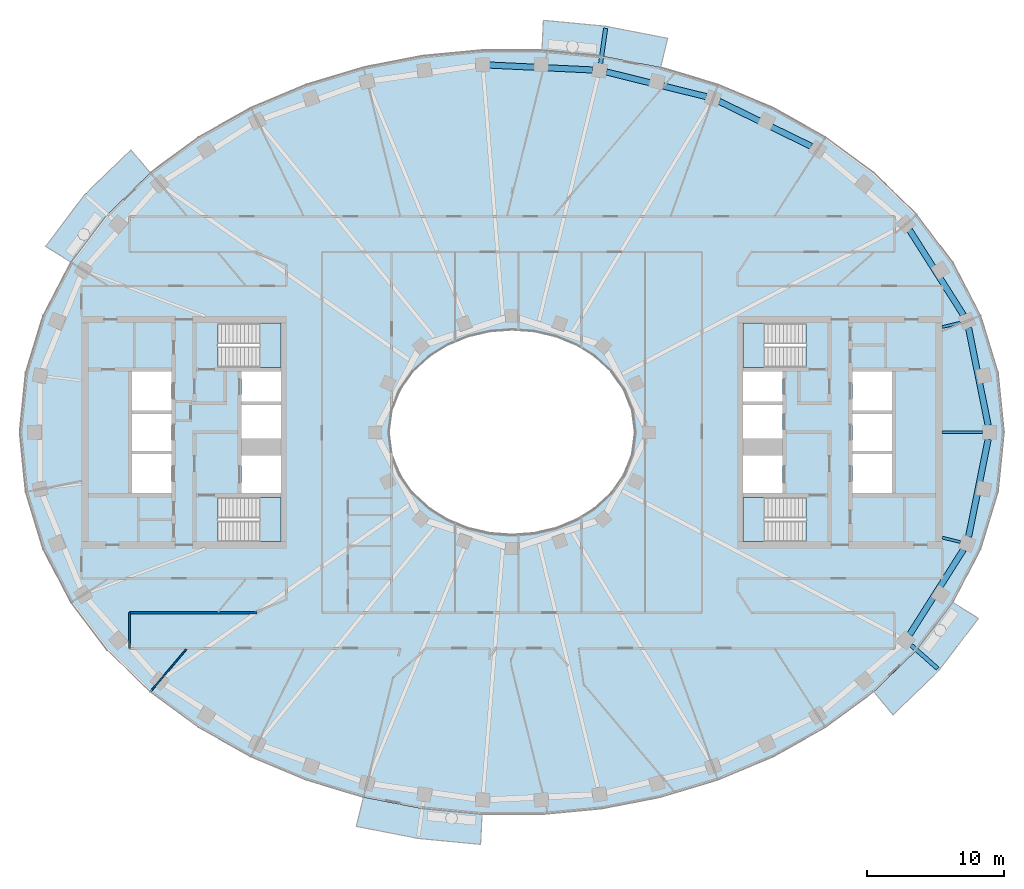
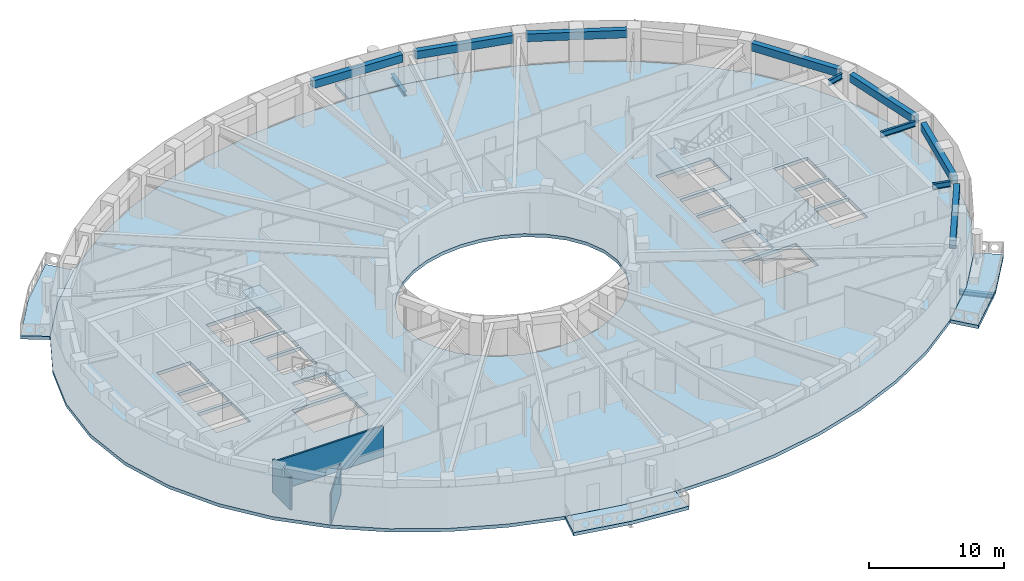
# One storey, part 2 of 16: 12 beams, 9 slabs, 3 walls, 4 elements without a shape of their own.
"""IFC4 building model written with IfcOpenShell, lengths in metres."""

from ifc_helpers import new_model, si_unit, direction, frame, frame_2d, origin, origin_2d, place, context, subcontext, project, spatial, polyline, rectangle, i_section, outline, extrude, material, layer, layer_set, material_profile, profile_set, type_object, element, aggregate, save


model = new_model("IFC4")

# Units and contexts
model_context = context("Model", 3, precision=1e-05, world=origin(), true_north=direction((0.0, 1.0)))
body_context = subcontext(model_context, "Body", "Model", "MODEL_VIEW")
ifc_project = project(units=[si_unit("LENGTHUNIT", "METRE"), si_unit("AREAUNIT", "SQUARE_METRE"), si_unit("VOLUMEUNIT", "CUBIC_METRE"), si_unit("PLANEANGLEUNIT", "RADIAN"), si_unit("MASSUNIT", "GRAM", prefix="KILO")], contexts=[model_context])

# Site, building, storey
site_placement = place(None, origin())
site = spatial("IfcSite", under=ifc_project, at=site_placement, CompositionType="ELEMENT")
building_placement = place(site_placement, origin())
building = spatial("IfcBuilding", under=site, at=building_placement, Name="Noorbagh Ring Tower", CompositionType="ELEMENT")
storey_placement = place(building_placement, frame((0.0, 0.0, 273.5)))
storey = spatial("IfcBuildingStorey", under=building, at=storey_placement, Name="L58", CompositionType="ELEMENT", Elevation=273.5)

# Beams
ifc_material_1 = material(Name="Steel S355", Category="steel")
ifc_material_profile_1 = material_profile(ifc_material_1, i_section(OverallWidth=0.300048828125, OverallDepth=0.39990234375, WebThickness=0.013427734375, FlangeThickness=0.02392578125, FilletRadius=0.027099609375, at=origin_2d()), Name="HEB400")
ifc_profile_set_1 = profile_set([ifc_material_profile_1], Name="Steel S355")
beam_type_1 = type_object("IfcBeamType", Name="STR-BALCONY-BRACKET-HEB400", PredefinedType="BEAM", material=ifc_profile_set_1)
beam_1_placement = place(storey_placement, frame((6.4814453125, 26.99072265625, -0.5), z_axis=(0.143078349205, 0.989711364989, 0.0), x_axis=(-0.989711364989, 0.143078349205, 0.0)))
element("IfcBeam", 1, at=beam_1_placement, inside=storey, type_object=beam_type_1, Name="Balcony bracket beam BN03", PredefinedType="BEAM", context=body_context, shape_type="SweptSolid", body=[
    extrude(i_section(OverallWidth=0.300048828125, OverallDepth=0.39990234375, WebThickness=0.013427734375, FlangeThickness=0.02392578125, FilletRadius=0.027099609375, at=origin_2d()), origin(), (0.0, 0.0, 1.0), 2.598876953125),
])
beam_2_placement = place(storey_placement, frame((29.197021484375, -15.565185546875, -0.5), z_axis=(0.749087807423, -0.662470721444, 0.0), x_axis=(0.662470721444, 0.749087807423, 0.0)))
element("IfcBeam", 2, at=beam_2_placement, inside=storey, type_object=beam_type_1, Name="Balcony bracket beam BS06", PredefinedType="BEAM", context=body_context, shape_type="SweptSolid", body=[
    extrude(i_section(OverallWidth=0.300048828125, OverallDepth=0.39990234375, WebThickness=0.013427734375, FlangeThickness=0.02392578125, FilletRadius=0.027099609375, at=origin_2d()), origin(), (0.0, 0.0, 1.0), 2.6044921875),
])
ifc_material_2 = material(Name="Steel S355", Category="steel")
ifc_material_profile_2 = material_profile(ifc_material_2, i_section(OverallWidth=0.199951171875, OverallDepth=0.5, WebThickness=0.01025390625, FlangeThickness=0.01611328125, FilletRadius=0.02099609375, at=origin_2d()), Name="IPE500")
ifc_profile_set_2 = profile_set([ifc_material_profile_2], Name="Steel S355")
beam_type_2 = type_object("IfcBeamType", Name="STR-RAD-IPE500", PredefinedType="BEAM", material=ifc_profile_set_2)
beam_3_placement = place(storey_placement, frame((34.439697265625, 0.0, 3.449951171875), z_axis=(-1.0, 0.0, 0.0), x_axis=(0.0, -1.0, 0.0)))
element("IfcBeam", 3, at=beam_3_placement, inside=storey, type_object=beam_type_2, Name="L58/bm/RD01", PredefinedType="BEAM", context=body_context, shape_type="SweptSolid", body=[
    extrude(i_section(OverallWidth=0.199951171875, OverallDepth=0.5, WebThickness=0.01025390625, FlangeThickness=0.01611328125, FilletRadius=0.02099609375, at=origin_2d()), origin(), (0.0, 0.0, 1.0), 2.959716796875),
])
for number, where, z_axis, x_axis, name in (
    (4, (32.80908203125, 8.02783203125, 3.449951171875), (-0.971368805904, -0.237576604311, 0.0), (0.237576604311, -0.971368805904, 0.0), "L58/bm/RD03"),
    (5, (32.80908203125, -8.02783203125, 3.449951171875), (-0.971368805904, 0.237576604311, 0.0), (-0.237576604311, -0.971368805904, 0.0), "L58/bm/RD45"),
):
    element("IfcBeam", number, at=place(storey_placement, frame(where, z_axis=z_axis, x_axis=x_axis)), inside=storey, type_object=beam_type_2, Name=name, PredefinedType="BEAM", context=body_context, shape_type="SweptSolid", body=[
        extrude(i_section(OverallWidth=0.199951171875, OverallDepth=0.5, WebThickness=0.01025390625, FlangeThickness=0.01611328125, FilletRadius=0.02099609375, at=origin_2d()), origin(), (0.0, 0.0, 1.0), 1.36767578125),
    ])
ifc_material_3 = material(Name="Concrete C40/50", Category="concrete")
ifc_material_profile_3 = material_profile(ifc_material_3, rectangle(XDim=0.449951171875, YDim=0.699951171875, at=origin_2d()), Name="RC450x700")
ifc_profile_set_3 = profile_set([ifc_material_profile_3], Name="Concrete C40/50")
beam_type_3 = type_object("IfcBeamType", Name="STR-SB-RC450x700-C40-50", PredefinedType="BEAM", material=ifc_profile_set_3)
beam_4_placement = place(storey_placement, frame((34.843017578125, 0.50537109375, 3.35009765625), z_axis=(-0.197224898537, 0.980358270938, 0.0), x_axis=(-0.980358270938, -0.197224898537, 0.0)))
element("IfcBeam", 6, at=beam_4_placement, inside=storey, type_object=beam_type_3, Name="L58/bm/SP01", PredefinedType="BEAM", context=body_context, shape_type="SweptSolid", body=[
    extrude(rectangle(XDim=0.449951171875, YDim=0.699951171875, at=origin_2d()), origin(), (0.0, 0.0, 1.0), 7.282470703125),
])
beam_5_placement = place(storey_placement, frame((33.030517578125, 8.5830078125, 3.35009765625), z_axis=(-0.535199696751, 0.844725567624, 0.0), x_axis=(-0.844725567624, -0.535199696751, 0.0)))
element("IfcBeam", 7, at=beam_5_placement, inside=storey, type_object=beam_type_3, Name="L58/bm/SP03", PredefinedType="BEAM", context=body_context, shape_type="SweptSolid", body=[
    extrude(rectangle(XDim=0.449951171875, YDim=0.699951171875, at=origin_2d()), origin(), (0.0, 0.0, 1.0), 7.357421875),
])
beam_6_placement = place(storey_placement, frame((21.905029296875, 20.92333984375, 3.35009765625), z_axis=(-0.898394634575, 0.439189117087, 0.0), x_axis=(-0.439189117087, -0.898394634575, 0.0)))
element("IfcBeam", 8, at=beam_6_placement, inside=storey, type_object=beam_type_3, Name="L58/bm/SP07", PredefinedType="BEAM", context=body_context, shape_type="SweptSolid", body=[
    extrude(rectangle(XDim=0.449951171875, YDim=0.699951171875, at=origin_2d()), origin(), (0.0, 0.0, 1.0), 7.501220703125),
])
beam_7_placement = place(storey_placement, frame((14.216552734375, 24.562744140625, 3.35009765625), z_axis=(-0.970832363292, 0.239759300935, 0.0), x_axis=(-0.239759300935, -0.970832363292, 0.0)))
element("IfcBeam", 9, at=beam_7_placement, inside=storey, type_object=beam_type_3, Name="L58/bm/SP09", PredefinedType="BEAM", context=body_context, shape_type="SweptSolid", body=[
    extrude(rectangle(XDim=0.449951171875, YDim=0.699951171875, at=origin_2d()), origin(), (0.0, 0.0, 1.0), 7.5341796875),
])
beam_8_placement = place(storey_placement, frame((5.90234375, 26.514892578125, 3.35009765625), z_axis=(-0.998868796295, 0.047551317418, 0.0), x_axis=(-0.047551317418, -0.998868796295, 0.0)))
element("IfcBeam", 10, at=beam_8_placement, inside=storey, type_object=beam_type_3, Name="L58/bm/SP11", PredefinedType="BEAM", context=body_context, shape_type="SweptSolid", body=[
    extrude(rectangle(XDim=0.449951171875, YDim=0.699951171875, at=origin_2d()), origin(), (0.0, 0.0, 1.0), 7.54736328125),
])
beam_9_placement = place(storey_placement, frame((29.0927734375, -14.798095703125, 3.35009765625), z_axis=(0.535199696751, 0.844725567624, 0.0), x_axis=(-0.844725567624, 0.535199696751, 0.0)))
element("IfcBeam", 11, at=beam_9_placement, inside=storey, type_object=beam_type_3, Name="L58/bm/SP43", PredefinedType="BEAM", context=body_context, shape_type="SweptSolid", body=[
    extrude(rectangle(XDim=0.449951171875, YDim=0.699951171875, at=origin_2d()), origin(), (0.0, 0.0, 1.0), 7.357421875),
])
beam_10_placement = place(storey_placement, frame((33.40673828125, -7.644775390625, 3.35009765625), z_axis=(0.197224898537, 0.980358270938, 0.0), x_axis=(-0.980358270938, 0.197224898537, 0.0)))
element("IfcBeam", 12, at=beam_10_placement, inside=storey, type_object=beam_type_3, Name="L58/bm/SP45", PredefinedType="BEAM", context=body_context, shape_type="SweptSolid", body=[
    extrude(rectangle(XDim=0.449951171875, YDim=0.699951171875, at=origin_2d()), origin(), (0.0, 0.0, 1.0), 7.282470703125),
])

# Stair, slab
ifc_material_4 = material(Name="Concrete C40/50", Category="concrete")
stair_type = type_object("IfcStairType", Name="CORE-STAIR", PredefinedType="HALF_TURN_STAIR", material=ifc_material_4)
stair_1_placement = place(storey_placement, origin())
stair_1 = element("IfcStair", 13, at=stair_1_placement, inside=storey, type_object=stair_type, Name="L58 Exit stair ST1", PredefinedType="HALF_TURN_STAIR")
ifc_material_5 = material(Name="Concrete C40/50", Category="concrete")
ifc_layer_1 = layer(ifc_material_5, 0.300048828125)
ifc_layer_set_1 = layer_set([ifc_layer_1], Name="Concrete C40/50")
slab_type_1 = type_object("IfcSlabType", Name="CORE-STAIR-LANDING", PredefinedType="LANDING", material=ifc_layer_set_1)
slab_1_placement = place(storey_placement, frame((0.0, 0.0, 1.699951171875)))
slab_1 = element("IfcSlab", 14, at=slab_1_placement, type_object=slab_type_1, Name="ST1 landing 1", PredefinedType="LANDING", context=body_context, shape_type="SweptSolid", body=[
    extrude(outline(polyline([(-18.449951171875, 4.75), (-16.89990234375, 4.75), (-16.89990234375, 8.0), (-18.449951171875, 8.0), (-18.449951171875, 4.75)])), origin(), (0.0, 0.0, 1.0), 0.300048828125),
])
aggregate(stair_1, [slab_1])

stair_2_placement = place(storey_placement, origin())
stair_2 = element("IfcStair", 15, at=stair_2_placement, inside=storey, type_object=stair_type, Name="L58 Exit stair ST2", PredefinedType="HALF_TURN_STAIR")
slab_2_placement = place(storey_placement, frame((0.0, 0.0, 1.699951171875)))
slab_2 = element("IfcSlab", 16, at=slab_2_placement, type_object=slab_type_1, Name="ST2 landing 1", PredefinedType="LANDING", context=body_context, shape_type="SweptSolid", body=[
    extrude(outline(polyline([(-18.449951171875, -8.0), (-16.89990234375, -8.0), (-16.89990234375, -4.75), (-18.449951171875, -4.75), (-18.449951171875, -8.0)])), origin(), (0.0, 0.0, 1.0), 0.300048828125),
])
aggregate(stair_2, [slab_2])

stair_3_placement = place(storey_placement, origin())
stair_3 = element("IfcStair", 17, at=stair_3_placement, inside=storey, type_object=stair_type, Name="L58 Exit stair ST3", PredefinedType="HALF_TURN_STAIR")
slab_3_placement = place(storey_placement, frame((0.0, 0.0, 1.699951171875)))
slab_3 = element("IfcSlab", 18, at=slab_3_placement, type_object=slab_type_1, Name="ST3 landing 1", PredefinedType="LANDING", context=body_context, shape_type="SweptSolid", body=[
    extrude(outline(polyline([(18.449951171875, 8.0), (16.89990234375, 8.0), (16.89990234375, 4.75), (18.449951171875, 4.75), (18.449951171875, 8.0)])), origin(), (0.0, 0.0, 1.0), 0.300048828125),
])
aggregate(stair_3, [slab_3])

stair_4_placement = place(storey_placement, origin())
stair_4 = element("IfcStair", 19, at=stair_4_placement, inside=storey, type_object=stair_type, Name="L58 Exit stair ST4", PredefinedType="HALF_TURN_STAIR")
slab_4_placement = place(storey_placement, frame((0.0, 0.0, 1.699951171875)))
slab_4 = element("IfcSlab", 20, at=slab_4_placement, type_object=slab_type_1, Name="ST4 landing 1", PredefinedType="LANDING", context=body_context, shape_type="SweptSolid", body=[
    extrude(outline(polyline([(18.449951171875, -4.75), (16.89990234375, -4.75), (16.89990234375, -8.0), (18.449951171875, -8.0), (18.449951171875, -4.75)])), origin(), (0.0, 0.0, 1.0), 0.300048828125),
])
aggregate(stair_4, [slab_4])

# Slabs
ifc_material_6 = material(Name="Concrete C40/50", Category="concrete")
ifc_layer_2 = layer(ifc_material_6, 0.300048828125)
ifc_layer_set_2 = layer_set([ifc_layer_2], Name="Concrete C40/50")
slab_type_2 = type_object("IfcSlabType", Name="ENV-BALCONY DECK 300", PredefinedType="FLOOR", material=ifc_layer_set_2)
slab_5_placement = place(storey_placement, frame((0.0, 0.0, -0.300048828125)))
element("IfcSlab", 21, at=slab_5_placement, inside=storey, type_object=slab_type_2, Name="Tree balcony deck BN03", PredefinedType="FLOOR", context=body_context, shape_type="SweptSolid", body=[
    extrude(outline(polyline([(11.3935546875, 28.832763671875), (6.874755859375, 29.711181640625), (2.2978515625, 30.14794921875), (2.193115234375, 27.947998046875), (6.5595703125, 27.53125), (10.865234375, 26.6943359375), (11.3935546875, 28.832763671875)])), origin(), (0.0, 0.0, 1.0), 0.300048828125),
])
slab_6_placement = place(storey_placement, frame((0.0, 0.0, -0.300048828125)))
element("IfcSlab", 22, at=slab_6_placement, inside=storey, type_object=slab_type_2, Name="Tree balcony deck BN06", PredefinedType="FLOOR", context=body_context, shape_type="SweptSolid", body=[
    extrude(outline(polyline([(-27.888671875, 20.665771484375), (-31.26025390625, 17.389892578125), (-34.120361328125, 13.615966796875), (-32.255126953125, 12.434814453125), (-29.607666015625, 15.92822265625), (-26.463134765625, 18.983154296875), (-27.888671875, 20.665771484375)])), origin(), (0.0, 0.0, 1.0), 0.300048828125),
])
slab_7_placement = place(storey_placement, frame((0.0, 0.0, -0.300048828125)))
element("IfcSlab", 23, at=slab_7_placement, inside=storey, type_object=slab_type_2, Name="Tree balcony deck BS03", PredefinedType="FLOOR", context=body_context, shape_type="SweptSolid", body=[
    extrude(outline(polyline([(-11.3935546875, -28.832763671875), (-6.874755859375, -29.711181640625), (-2.2978515625, -30.14794921875), (-2.193115234375, -27.947998046875), (-6.5595703125, -27.53125), (-10.865234375, -26.6943359375), (-11.3935546875, -28.832763671875)])), origin(), (0.0, 0.0, 1.0), 0.300048828125),
])
slab_8_placement = place(storey_placement, frame((0.0, 0.0, -0.300048828125)))
element("IfcSlab", 24, at=slab_8_placement, inside=storey, type_object=slab_type_2, Name="Tree balcony deck BS06", PredefinedType="FLOOR", context=body_context, shape_type="SweptSolid", body=[
    extrude(outline(polyline([(27.888671875, -20.665771484375), (31.26025390625, -17.389892578125), (34.120361328125, -13.615966796875), (32.255126953125, -12.434814453125), (29.607666015625, -15.92822265625), (26.463134765625, -18.983154296875), (27.888671875, -20.665771484375)])), origin(), (0.0, 0.0, 1.0), 0.300048828125),
])
ifc_material_7 = material(Name="Concrete C40/50", Category="concrete")
ifc_layer_3 = layer(ifc_material_7, 0.300048828125)
ifc_layer_set_3 = layer_set([ifc_layer_3], Name="Concrete C40/50")
slab_type_3 = type_object("IfcSlabType", Name="STR-FLOOR-DECK-300", PredefinedType="FLOOR", material=ifc_layer_set_3)
slab_9_placement = place(storey_placement, frame((0.0, 0.0, -0.300048828125)))
element("IfcSlab", 25, at=slab_9_placement, inside=storey, type_object=slab_type_3, Name="L58/slab/1", PredefinedType="FLOOR", context=body_context, shape_type="SweptSolid", body=[
    extrude(outline(polyline([(36.0, 0.0), (35.56103515625, 4.358642578125), (34.281005859375, 8.548828125), (32.255126953125, 12.434814453125), (29.607666015625, 15.92822265625), (26.463134765625, 18.983154296875), (22.9326171875, 21.583740234375), (19.108154296875, 23.730224609375), (15.0654296875, 25.430419921875), (10.865234375, 26.6943359375), (6.5595703125, 27.53125), (2.193115234375, 27.947998046875), (-2.193115234375, 27.947998046875), (-6.5595703125, 27.53125), (-10.865234375, 26.6943359375), (-15.0654296875, 25.430419921875), (-19.108154296875, 23.730224609375), (-22.9326171875, 21.583740234375), (-26.463134765625, 18.983154296875), (-29.607666015625, 15.92822265625), (-32.255126953125, 12.434814453125), (-34.281005859375, 8.548828125), (-35.56103515625, 4.358642578125), (-36.0, 0.0), (-35.56103515625, -4.358642578125), (-34.281005859375, -8.548828125), (-32.255126953125, -12.434814453125), (-29.607666015625, -15.92822265625), (-26.463134765625, -18.983154296875), (-22.9326171875, -21.583740234375), (-19.108154296875, -23.730224609375), (-15.0654296875, -25.430419921875), (-10.865234375, -26.6943359375), (-6.5595703125, -27.53125), (-2.193115234375, -27.947998046875), (2.193115234375, -27.947998046875), (6.5595703125, -27.53125), (10.865234375, -26.6943359375), (15.0654296875, -25.430419921875), (19.108154296875, -23.730224609375), (22.9326171875, -21.583740234375), (26.463134765625, -18.983154296875), (29.607666015625, -15.92822265625), (32.255126953125, -12.434814453125), (34.281005859375, -8.548828125), (35.56103515625, -4.358642578125), (36.0, 0.0)]), holes=[polyline([(24.89990234375, 4.449951171875), (27.800048828125, 4.449951171875), (27.800048828125, 1.60009765625), (24.89990234375, 1.60009765625), (24.89990234375, 4.449951171875)]), polyline([(24.89990234375, 1.35009765625), (27.800048828125, 1.35009765625), (27.800048828125, -1.35009765625), (24.89990234375, -1.35009765625), (24.89990234375, 1.35009765625)]), polyline([(24.89990234375, -1.60009765625), (27.800048828125, -1.60009765625), (27.800048828125, -4.449951171875), (24.89990234375, -4.449951171875), (24.89990234375, -1.60009765625)]), polyline([(21.529541015625, -8.0), (16.89990234375, -8.0), (16.89990234375, -4.75), (21.529541015625, -4.75), (21.529541015625, -8.0)]), polyline([(16.89990234375, 4.75), (16.89990234375, 8.0), (21.529541015625, 8.0), (21.529541015625, 4.75), (16.89990234375, 4.75)]), polyline([(19.800048828125, 4.449951171875), (19.800048828125, 2.25), (16.89990234375, 2.25), (16.89990234375, 4.449951171875), (19.800048828125, 4.449951171875)]), polyline([(16.89990234375, 2.0), (19.800048828125, 2.0), (19.800048828125, -0.449951171875), (16.89990234375, -0.449951171875), (16.89990234375, 2.0)]), polyline([(16.89990234375, -1.699951171875), (19.800048828125, -1.699951171875), (19.800048828125, -4.449951171875), (16.89990234375, -4.449951171875), (16.89990234375, -1.699951171875)]), polyline([(4.697509765625, -6.3974609375), (3.196533203125, -7.010986328125), (1.6171875, -7.3779296875), (0.0, -7.5), (-1.6171875, -7.3779296875), (-3.196533203125, -7.010986328125), (-4.697509765625, -6.3974609375), (-6.071044921875, -5.53662109375), (-7.2587890625, -4.43408203125), (-8.1904296875, -3.10888671875), (-8.79150390625, -1.605224609375), (-9.0, 0.0), (-8.79150390625, 1.605224609375), (-8.1904296875, 3.10888671875), (-7.2587890625, 4.43408203125), (-6.071044921875, 5.53662109375), (-4.697509765625, 6.3974609375), (-3.196533203125, 7.010986328125), (-1.6171875, 7.3779296875), (0.0, 7.5), (1.6171875, 7.3779296875), (3.196533203125, 7.010986328125), (4.697509765625, 6.3974609375), (6.071044921875, 5.53662109375), (7.2587890625, 4.43408203125), (8.1904296875, 3.10888671875), (8.79150390625, 1.605224609375), (9.0, 0.0), (8.79150390625, -1.605224609375), (8.1904296875, -3.10888671875), (7.2587890625, -4.43408203125), (6.071044921875, -5.53662109375), (4.697509765625, -6.3974609375)]), polyline([(-16.89990234375, 2.25), (-19.800048828125, 2.25), (-19.800048828125, 4.449951171875), (-16.89990234375, 4.449951171875), (-16.89990234375, 2.25)]), polyline([(-16.89990234375, -0.449951171875), (-19.800048828125, -0.449951171875), (-19.800048828125, 2.0), (-16.89990234375, 2.0), (-16.89990234375, -0.449951171875)]), polyline([(-16.89990234375, -4.449951171875), (-19.800048828125, -4.449951171875), (-19.800048828125, -1.699951171875), (-16.89990234375, -1.699951171875), (-16.89990234375, -4.449951171875)]), polyline([(-21.529541015625, 8.0), (-16.89990234375, 8.0), (-16.89990234375, 4.75), (-21.529541015625, 4.75), (-21.529541015625, 8.0)]), polyline([(-21.529541015625, -4.75), (-16.89990234375, -4.75), (-16.89990234375, -8.0), (-21.529541015625, -8.0), (-21.529541015625, -4.75)]), polyline([(-24.89990234375, -4.449951171875), (-27.800048828125, -4.449951171875), (-27.800048828125, -1.60009765625), (-24.89990234375, -1.60009765625), (-24.89990234375, -4.449951171875)]), polyline([(-24.89990234375, 1.60009765625), (-27.800048828125, 1.60009765625), (-27.800048828125, 4.449951171875), (-24.89990234375, 4.449951171875), (-24.89990234375, 1.60009765625)]), polyline([(-24.89990234375, -1.35009765625), (-27.800048828125, -1.35009765625), (-27.800048828125, 1.35009765625), (-24.89990234375, 1.35009765625), (-24.89990234375, -1.35009765625)])]), origin(), (0.0, 0.0, 1.0), 0.300048828125),
])

# Walls
ifc_material_8 = material(Name="Gypsum board on steel studs", Category="steel")
ifc_layer_4 = layer(ifc_material_8, 0.14990234375)
ifc_layer_set_4 = layer_set([ifc_layer_4], Name="Gypsum board on steel studs")
wall_type_1 = type_object("IfcWallType", Name="CORRIDOR PARTITION 150 EI 30", PredefinedType="PARTITIONING", material=ifc_layer_set_4)
wall_1_placement = place(storey_placement, frame((-28.0, -15.800048828125, 0.0), z_axis=(0.0, 0.0, 1.0), x_axis=(0.0, 1.0, 0.0)))
element("IfcWall", 26, at=wall_1_placement, inside=storey, type_object=wall_type_1, Name="L58/wall/P08", PredefinedType="PARTITIONING", context=body_context, shape_type="SweptSolid", body=[
    extrude(rectangle(XDim=2.60009765625, YDim=0.14990234375, at=frame_2d((1.300048828125, 0.0))), origin(), (0.0, 0.0, 1.0), 3.0),
])
wall_2_placement = place(storey_placement, frame((-28.0, -13.199951171875, 0.0), z_axis=(0.0, 0.0, 1.0), x_axis=(1.0, 0.0, 0.0)))
element("IfcWall", 27, at=wall_2_placement, inside=storey, type_object=wall_type_1, Name="L58/wall/P10", PredefinedType="PARTITIONING", context=body_context, shape_type="SweptSolid", body=[
    extrude(rectangle(XDim=9.346923828125, YDim=0.14990234375, at=frame_2d((4.67333984375, 0.0))), origin(), (0.0, 0.0, 1.0), 2.75),
])
ifc_material_9 = material(Name="Gypsum board on steel studs", Category="steel")
ifc_layer_5 = layer(ifc_material_9, 0.10009765625)
ifc_layer_set_5 = layer_set([ifc_layer_5], Name="Gypsum board on steel studs")
wall_type_2 = type_object("IfcWallType", Name="PARTITION 100 GYPSUM", PredefinedType="PARTITIONING", material=ifc_layer_set_5)
wall_3_placement = place(storey_placement, frame((-26.429931640625, -18.945068359375, 0.0), z_axis=(0.0, 0.0, 1.0), x_axis=(0.646323350317, 0.763063645337, 0.0)))
element("IfcWall", 28, at=wall_3_placement, inside=storey, type_object=wall_type_2, Name="L58/wall/P14", PredefinedType="PARTITIONING", context=body_context, shape_type="SweptSolid", body=[
    extrude(rectangle(XDim=4.01953125, YDim=0.10009765625, at=frame_2d((2.009765625, 0.0))), origin(), (0.0, 0.0, 1.0), 2.75),
])

save(model, "model.ifc")
